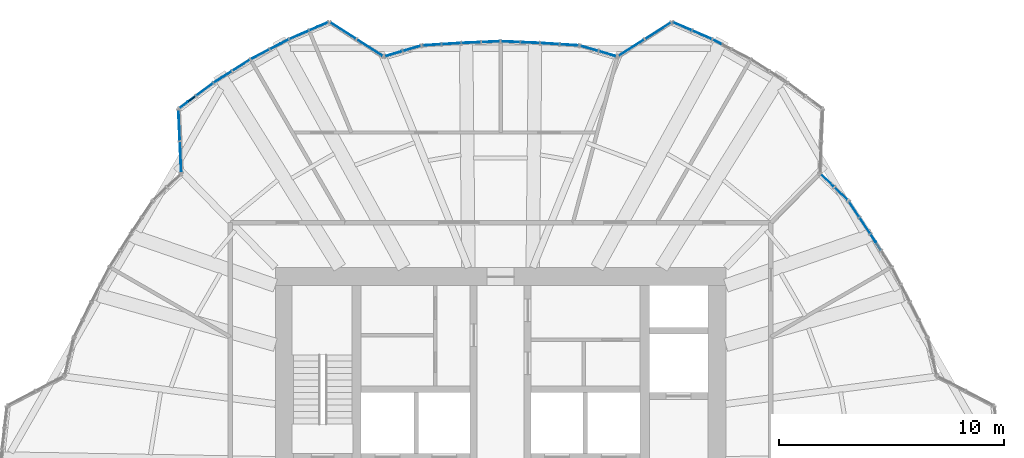
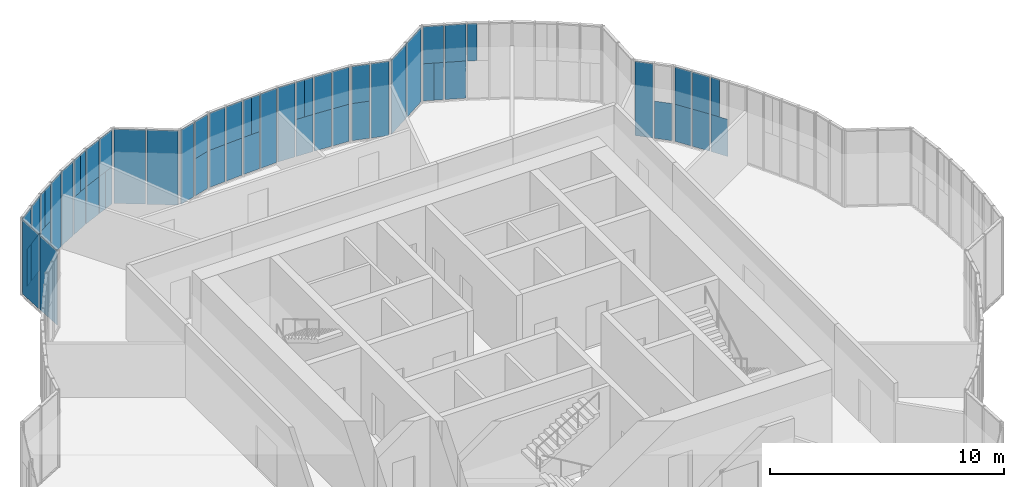
# One storey, part 19 of 24: 60 plates, 18 elements without a shape of their own.
"""IFC4 building model written with IfcOpenShell, lengths in metres."""

from ifc_helpers import new_model, si_unit, direction, frame, origin, origin_2d, place, context, subcontext, project, spatial, rectangle, extrude, material, layer, layer_set, type_object, element, aggregate, save


model = new_model("IFC4")

# Units and contexts
model_context = context("Model", 3, precision=1e-05, world=origin(), true_north=direction((0.0, 1.0)))
body_context = subcontext(model_context, "Body", "Model", "MODEL_VIEW")
ifc_project = project(units=[si_unit("LENGTHUNIT", "METRE"), si_unit("AREAUNIT", "SQUARE_METRE"), si_unit("VOLUMEUNIT", "CUBIC_METRE"), si_unit("PLANEANGLEUNIT", "RADIAN"), si_unit("MASSUNIT", "GRAM", prefix="KILO")], contexts=[model_context])

# Site, building, storey
site_placement = place(None, origin())
site = spatial("IfcSite", under=ifc_project, at=site_placement, CompositionType="ELEMENT")
building_placement = place(site_placement, origin())
building = spatial("IfcBuilding", under=site, at=building_placement, Name="Golbaran Civic Tower", CompositionType="ELEMENT")
storey_placement = place(building_placement, frame((0.0, 0.0, 25.0)))
storey = spatial("IfcBuildingStorey", under=building, at=storey_placement, Name="L05", CompositionType="ELEMENT", Elevation=25.0)

# Curtain wall, plates
ifc_material_1 = material(Name="Aluminium and glass", Category="aluminium")
curtain_wall_type = type_object("IfcCurtainWallType", Name="INNER SKIN CURTAIN WALL", PredefinedType="NOTDEFINED", material=ifc_material_1)
curtain_wall_1_placement = place(storey_placement, origin())
curtain_wall_1 = element("IfcCurtainWall", 1, at=curtain_wall_1_placement, inside=storey, type_object=curtain_wall_type, Name="Inner skin L05 facet 9 CW1", ObjectType="INNER SKIN", PredefinedType="USERDEFINED")
ifc_material_2 = material(Name="Clear insulating glass", Category="glass")
ifc_layer_1 = layer(ifc_material_2, 0.031982421875, Name="Clear insulating glass")
ifc_layer_set_1 = layer_set([ifc_layer_1], Name="Clear insulating glass")
plate_type_1 = type_object("IfcPlateType", Name="INNER SKIN CURTAIN WALL GLAZED PANEL", PredefinedType="CURTAIN_PANEL", material=ifc_layer_set_1)
plate_1_placement = place(storey_placement, frame((15.1181640625, 13.27685546875, 0.06494140625), z_axis=(0.0, 0.0, 1.0), x_axis=(-0.723900401463, 0.689904492493, 0.0)))
plate_1 = element("IfcPlate", 2, at=plate_1_placement, type_object=plate_type_1, Name="CW1 panel 1.1 part 1", PredefinedType="CURTAIN_PANEL", context=body_context, shape_type="SweptSolid", body=[
    extrude(rectangle(XDim=0.781494140625, YDim=0.031982421875, at=origin_2d()), origin(), (0.0, 0.0, 1.0), 1.93505859375),
])
plate_2_placement = place(storey_placement, frame((14.50537109375, 13.86083984375, 0.06494140625), z_axis=(0.0, 0.0, 1.0), x_axis=(-0.723900401463, 0.689904492493, 0.0)))
plate_2 = element("IfcPlate", 3, at=plate_2_placement, type_object=plate_type_1, Name="CW1 panel 2.1", PredefinedType="CURTAIN_PANEL", context=body_context, shape_type="SweptSolid", body=[
    extrude(rectangle(XDim=0.781494140625, YDim=0.031982421875, at=origin_2d()), origin(), (0.0, 0.0, 1.0), 3.8701171875),
])
aggregate(curtain_wall_1, [plate_1, plate_2])

# Curtain wall, plate
curtain_wall_2_placement = place(storey_placement, origin())
curtain_wall_2 = element("IfcCurtainWall", 4, at=curtain_wall_2_placement, inside=storey, type_object=curtain_wall_type, Name="Inner skin L05 facet 14 CW1", ObjectType="INNER SKIN", PredefinedType="USERDEFINED")
plate_3_placement = place(storey_placement, frame((7.88671875, 20.79052734375, 0.06494140625), z_axis=(0.0, 0.0, 1.0), x_axis=(-0.917653005474, 0.397382638705, 0.0)))
plate_3 = element("IfcPlate", 5, at=plate_3_placement, type_object=plate_type_1, Name="CW1 panel 2.1 part 2", PredefinedType="CURTAIN_PANEL", context=body_context, shape_type="SweptSolid", body=[
    extrude(rectangle(XDim=0.4716796875, YDim=0.031982421875, at=origin_2d()), origin(), (0.0, 0.0, 1.0), 1.93505859375),
])

# Curtain wall, plates
curtain_wall_3_placement = place(storey_placement, origin())
curtain_wall_3 = element("IfcCurtainWall", 6, at=curtain_wall_3_placement, inside=storey, type_object=curtain_wall_type, Name="Inner skin L05 facet 15 CW1", ObjectType="INNER SKIN", PredefinedType="USERDEFINED")
plate_4_placement = place(storey_placement, frame((6.991455078125, 20.5146484375, 0.06494140625), z_axis=(0.0, 0.0, 1.0), x_axis=(-0.842904487042, -0.53806321722, 0.0)))
plate_4 = element("IfcPlate", 7, at=plate_4_placement, type_object=plate_type_1, Name="CW1 panel 1.1", PredefinedType="CURTAIN_PANEL", context=body_context, shape_type="SweptSolid", body=[
    extrude(rectangle(XDim=1.33935546875, YDim=0.031982421875, at=origin_2d()), origin(), (0.0, 0.0, 1.0), 3.8701171875),
])
plate_5_placement = place(storey_placement, frame((5.807861328125, 19.75927734375, 0.06494140625), z_axis=(0.0, 0.0, 1.0), x_axis=(-0.842904487042, -0.53806321722, 0.0)))
plate_5 = element("IfcPlate", 8, at=plate_5_placement, type_object=plate_type_1, Name="CW1 panel 2.1", PredefinedType="CURTAIN_PANEL", context=body_context, shape_type="SweptSolid", body=[
    extrude(rectangle(XDim=1.33935546875, YDim=0.031982421875, at=origin_2d()), origin(), (0.0, 0.0, 1.0), 3.8701171875),
])
aggregate(curtain_wall_3, [plate_4, plate_5])

curtain_wall_4_placement = place(storey_placement, origin())
curtain_wall_4 = element("IfcCurtainWall", 9, at=curtain_wall_4_placement, inside=storey, type_object=curtain_wall_type, Name="Inner skin L05 facet 16 CW1", ObjectType="INNER SKIN", PredefinedType="USERDEFINED")
plate_6_placement = place(storey_placement, frame((4.751220703125, 19.492431640625, 0.06494140625), z_axis=(0.0, 0.0, 1.0), x_axis=(-0.959425017612, 0.28196389056, 0.0)))
plate_6 = element("IfcPlate", 10, at=plate_6_placement, type_object=plate_type_1, Name="CW1 panel 1.1", PredefinedType="CURTAIN_PANEL", context=body_context, shape_type="SweptSolid", body=[
    extrude(rectangle(XDim=0.781494140625, YDim=0.031982421875, at=origin_2d()), origin(), (0.0, 0.0, 1.0), 3.8701171875),
])
plate_7_placement = place(storey_placement, frame((3.93896484375, 19.731201171875, 0.06494140625), z_axis=(0.0, 0.0, 1.0), x_axis=(-0.959425017612, 0.28196389056, 0.0)))
plate_7 = element("IfcPlate", 11, at=plate_7_placement, type_object=plate_type_1, Name="CW1 panel 2.1 part 1", PredefinedType="CURTAIN_PANEL", context=body_context, shape_type="SweptSolid", body=[
    extrude(rectangle(XDim=0.781494140625, YDim=0.031982421875, at=origin_2d()), origin(), (0.0, 0.0, 1.0), 1.93505859375),
])

curtain_wall_5_placement = place(storey_placement, origin())
curtain_wall_5 = element("IfcCurtainWall", 12, at=curtain_wall_5_placement, inside=storey, type_object=curtain_wall_type, Name="Inner skin L05 facet 18 CW1", ObjectType="INNER SKIN", PredefinedType="USERDEFINED")
plate_8_placement = place(storey_placement, frame((1.110107421875, 19.99853515625, 2.0), z_axis=(0.0, 0.0, 1.0), x_axis=(-0.999048221591, 0.043619387156, 0.0)))
plate_8 = element("IfcPlate", 13, at=plate_8_placement, type_object=plate_type_1, Name="CW1 panel 1.1 part 3", PredefinedType="CURTAIN_PANEL", context=body_context, shape_type="SweptSolid", body=[
    extrude(rectangle(XDim=0.408447265625, YDim=0.031982421875, at=origin_2d()), origin(), (0.0, 0.0, 1.0), 1.93505859375),
])
plate_9_placement = place(storey_placement, frame((0.436767578125, 20.02783203125, 0.06494140625), z_axis=(0.0, 0.0, 1.0), x_axis=(-0.999048221591, 0.043619387156, 0.0)))
plate_9 = element("IfcPlate", 14, at=plate_9_placement, type_object=plate_type_1, Name="CW1 panel 2.1", PredefinedType="CURTAIN_PANEL", context=body_context, shape_type="SweptSolid", body=[
    extrude(rectangle(XDim=0.809326171875, YDim=0.031982421875, at=origin_2d()), origin(), (0.0, 0.0, 1.0), 3.8701171875),
])

curtain_wall_6_placement = place(storey_placement, origin())
curtain_wall_6 = element("IfcCurtainWall", 15, at=curtain_wall_6_placement, inside=storey, type_object=curtain_wall_type, Name="Inner skin L05 facet 19 CW1", ObjectType="INNER SKIN", PredefinedType="USERDEFINED")
plate_10_placement = place(storey_placement, frame((-0.436767578125, 20.02783203125, 0.06494140625), z_axis=(0.0, 0.0, 1.0), x_axis=(-0.999048221591, -0.043619387156, 0.0)))
plate_10 = element("IfcPlate", 16, at=plate_10_placement, type_object=plate_type_1, Name="CW1 panel 1.1", PredefinedType="CURTAIN_PANEL", context=body_context, shape_type="SweptSolid", body=[
    extrude(rectangle(XDim=0.809326171875, YDim=0.031982421875, at=origin_2d()), origin(), (0.0, 0.0, 1.0), 3.8701171875),
])
plate_11_placement = place(storey_placement, frame((-1.10986328125, 19.99853515625, 2.0), z_axis=(0.0, 0.0, 1.0), x_axis=(-0.999048221591, -0.043619387156, 0.0)))
plate_11 = element("IfcPlate", 17, at=plate_11_placement, type_object=plate_type_1, Name="CW1 panel 2.1 part 2", PredefinedType="CURTAIN_PANEL", context=body_context, shape_type="SweptSolid", body=[
    extrude(rectangle(XDim=0.407958984375, YDim=0.031982421875, at=origin_2d()), origin(), (0.0, 0.0, 1.0), 1.93505859375),
])

curtain_wall_7_placement = place(storey_placement, origin())
curtain_wall_7 = element("IfcCurtainWall", 18, at=curtain_wall_7_placement, inside=storey, type_object=curtain_wall_type, Name="Inner skin L05 facet 21 CW1", ObjectType="INNER SKIN", PredefinedType="USERDEFINED")
plate_12_placement = place(storey_placement, frame((-3.93896484375, 19.731201171875, 0.06494140625), z_axis=(0.0, 0.0, 1.0), x_axis=(-0.959425017612, -0.28196389056, 0.0)))
plate_12 = element("IfcPlate", 19, at=plate_12_placement, type_object=plate_type_1, Name="CW1 panel 1.1 part 1", PredefinedType="CURTAIN_PANEL", context=body_context, shape_type="SweptSolid", body=[
    extrude(rectangle(XDim=0.781494140625, YDim=0.031982421875, at=origin_2d()), origin(), (0.0, 0.0, 1.0), 1.93505859375),
])
plate_13_placement = place(storey_placement, frame((-4.751220703125, 19.492431640625, 0.06494140625), z_axis=(0.0, 0.0, 1.0), x_axis=(-0.959425017612, -0.28196389056, 0.0)))
plate_13 = element("IfcPlate", 20, at=plate_13_placement, type_object=plate_type_1, Name="CW1 panel 2.1", PredefinedType="CURTAIN_PANEL", context=body_context, shape_type="SweptSolid", body=[
    extrude(rectangle(XDim=0.781494140625, YDim=0.031982421875, at=origin_2d()), origin(), (0.0, 0.0, 1.0), 3.8701171875),
])

curtain_wall_8_placement = place(storey_placement, origin())
curtain_wall_8 = element("IfcCurtainWall", 21, at=curtain_wall_8_placement, inside=storey, type_object=curtain_wall_type, Name="Inner skin L05 facet 22 CW1", ObjectType="INNER SKIN", PredefinedType="USERDEFINED")
plate_14_placement = place(storey_placement, frame((-5.807861328125, 19.75927734375, 0.06494140625), z_axis=(0.0, 0.0, 1.0), x_axis=(-0.842904487042, 0.53806321722, 0.0)))
plate_14 = element("IfcPlate", 22, at=plate_14_placement, type_object=plate_type_1, Name="CW1 panel 1.1", PredefinedType="CURTAIN_PANEL", context=body_context, shape_type="SweptSolid", body=[
    extrude(rectangle(XDim=1.33935546875, YDim=0.031982421875, at=origin_2d()), origin(), (0.0, 0.0, 1.0), 3.8701171875),
])
plate_15_placement = place(storey_placement, frame((-6.991455078125, 20.5146484375, 0.06494140625), z_axis=(0.0, 0.0, 1.0), x_axis=(-0.842904487042, 0.53806321722, 0.0)))
plate_15 = element("IfcPlate", 23, at=plate_15_placement, type_object=plate_type_1, Name="CW1 panel 2.1", PredefinedType="CURTAIN_PANEL", context=body_context, shape_type="SweptSolid", body=[
    extrude(rectangle(XDim=1.33935546875, YDim=0.031982421875, at=origin_2d()), origin(), (0.0, 0.0, 1.0), 3.8701171875),
])
aggregate(curtain_wall_8, [plate_14, plate_15])

# Curtain wall, plate
curtain_wall_9_placement = place(storey_placement, origin())
curtain_wall_9 = element("IfcCurtainWall", 24, at=curtain_wall_9_placement, inside=storey, type_object=curtain_wall_type, Name="Inner skin L05 facet 23 CW1", ObjectType="INNER SKIN", PredefinedType="USERDEFINED")
plate_16_placement = place(storey_placement, frame((-7.886474609375, 20.79052734375, 0.06494140625), z_axis=(0.0, 0.0, 1.0), x_axis=(-0.917653005474, -0.397382638705, 0.0)))
plate_16 = element("IfcPlate", 25, at=plate_16_placement, type_object=plate_type_1, Name="CW1 panel 1.1 part 1", PredefinedType="CURTAIN_PANEL", context=body_context, shape_type="SweptSolid", body=[
    extrude(rectangle(XDim=0.470947265625, YDim=0.031982421875, at=origin_2d()), origin(), (0.0, 0.0, 1.0), 1.93505859375),
])

# Curtain wall, plates
curtain_wall_10_placement = place(storey_placement, origin())
curtain_wall_10 = element("IfcCurtainWall", 26, at=curtain_wall_10_placement, inside=storey, type_object=curtain_wall_type, Name="Inner skin L05 facet 24 CW1", ObjectType="INNER SKIN", PredefinedType="USERDEFINED")
plate_17_placement = place(storey_placement, frame((-9.998291015625, 19.822998046875, 2.0), z_axis=(0.0, 0.0, 1.0), x_axis=(-0.887010833033, -0.461748613514, 0.0)))
plate_17 = element("IfcPlate", 27, at=plate_17_placement, type_object=plate_type_1, Name="CW1 panel 1.1 part 3", PredefinedType="CURTAIN_PANEL", context=body_context, shape_type="SweptSolid", body=[
    extrude(rectangle(XDim=0.504150390625, YDim=0.031982421875, at=origin_2d()), origin(), (0.0, 0.0, 1.0), 1.93505859375),
])
plate_18_placement = place(storey_placement, frame((-10.6806640625, 19.4677734375, 0.06494140625), z_axis=(0.0, 0.0, 1.0), x_axis=(-0.887010833033, -0.461748613514, 0.0)))
plate_18 = element("IfcPlate", 28, at=plate_18_placement, type_object=plate_type_1, Name="CW1 panel 2.1", PredefinedType="CURTAIN_PANEL", context=body_context, shape_type="SweptSolid", body=[
    extrude(rectangle(XDim=0.904296875, YDim=0.031982421875, at=origin_2d()), origin(), (0.0, 0.0, 1.0), 3.8701171875),
])

curtain_wall_11_placement = place(storey_placement, origin())
curtain_wall_11 = element("IfcCurtainWall", 29, at=curtain_wall_11_placement, inside=storey, type_object=curtain_wall_type, Name="Inner skin L05 facet 25 CW1", ObjectType="INNER SKIN", PredefinedType="USERDEFINED")
plate_19_placement = place(storey_placement, frame((-11.519287109375, 18.983642578125, 0.06494140625), z_axis=(0.0, 0.0, 1.0), x_axis=(-0.843391445869, -0.537299608259, 0.0)))
plate_19 = element("IfcPlate", 30, at=plate_19_placement, type_object=plate_type_1, Name="CW1 panel 1.1", PredefinedType="CURTAIN_PANEL", context=body_context, shape_type="SweptSolid", body=[
    extrude(rectangle(XDim=0.904296875, YDim=0.031982421875, at=origin_2d()), origin(), (0.0, 0.0, 1.0), 3.8701171875),
])
plate_20_placement = place(storey_placement, frame((-12.16748046875, 18.570556640625, 2.0), z_axis=(0.0, 0.0, 1.0), x_axis=(-0.843391445869, -0.537299608259, 0.0)))
plate_20 = element("IfcPlate", 31, at=plate_20_placement, type_object=plate_type_1, Name="CW1 panel 2.1 part 2", PredefinedType="CURTAIN_PANEL", context=body_context, shape_type="SweptSolid", body=[
    extrude(rectangle(XDim=0.5029296875, YDim=0.031982421875, at=origin_2d()), origin(), (0.0, 0.0, 1.0), 1.93505859375),
])

# Curtain wall, plate
curtain_wall_12_placement = place(storey_placement, origin())
curtain_wall_12 = element("IfcCurtainWall", 32, at=curtain_wall_12_placement, inside=storey, type_object=curtain_wall_type, Name="Inner skin L05 facet 26 CW1", ObjectType="INNER SKIN", PredefinedType="USERDEFINED")
plate_21_placement = place(storey_placement, frame((-14.061767578125, 17.225341796875, 0.06494140625), z_axis=(0.0, 0.0, 1.0), x_axis=(-0.802969962931, -0.596019495177, 0.0)))
plate_21 = element("IfcPlate", 33, at=plate_21_placement, type_object=plate_type_1, Name="CW1 panel 2.1 part 2", PredefinedType="CURTAIN_PANEL", context=body_context, shape_type="SweptSolid", body=[
    extrude(rectangle(XDim=0.4716796875, YDim=0.031982421875, at=origin_2d()), origin(), (0.0, 0.0, 1.0), 1.93505859375),
])

# Curtain wall, plates
curtain_wall_13_placement = place(storey_placement, origin())
curtain_wall_13 = element("IfcCurtainWall", 34, at=curtain_wall_13_placement, inside=storey, type_object=curtain_wall_type, Name="Inner skin L05 facet 27 CW1", ObjectType="INNER SKIN", PredefinedType="USERDEFINED")
plate_22_placement = place(storey_placement, frame((-14.2705078125, 16.31201171875, 0.06494140625), z_axis=(0.0, 0.0, 1.0), x_axis=(0.044524171678, -0.999008307341, 0.0)))
plate_22 = element("IfcPlate", 35, at=plate_22_placement, type_object=plate_type_1, Name="CW1 panel 1.1", PredefinedType="CURTAIN_PANEL", context=body_context, shape_type="SweptSolid", body=[
    extrude(rectangle(XDim=1.33935546875, YDim=0.031982421875, at=origin_2d()), origin(), (0.0, 0.0, 1.0), 3.8701171875),
])
plate_23_placement = place(storey_placement, frame((-14.2080078125, 14.9091796875, 0.06494140625), z_axis=(0.0, 0.0, 1.0), x_axis=(0.044524171678, -0.999008307341, 0.0)))
plate_23 = element("IfcPlate", 36, at=plate_23_placement, type_object=plate_type_1, Name="CW1 panel 2.1", PredefinedType="CURTAIN_PANEL", context=body_context, shape_type="SweptSolid", body=[
    extrude(rectangle(XDim=1.33935546875, YDim=0.031982421875, at=origin_2d()), origin(), (0.0, 0.0, 1.0), 3.8701171875),
])
aggregate(curtain_wall_13, [plate_22, plate_23])

curtain_wall_14_placement = place(storey_placement, origin())
curtain_wall_14 = element("IfcCurtainWall", 37, at=curtain_wall_14_placement, inside=storey, type_object=curtain_wall_type, Name="Inner skin L05 facet 7 CW1", ObjectType="INNER SKIN", PredefinedType="USERDEFINED")
ifc_material_3 = material(Name="Aluminium faced opaque infill panel", Category="aluminium")
ifc_layer_2 = layer(ifc_material_3, 0.031982421875, Name="Aluminium faced opaque infill panel")
ifc_layer_set_2 = layer_set([ifc_layer_2], Name="Aluminium faced opaque infill panel")
plate_type_2 = type_object("IfcPlateType", Name="INNER SKIN CURTAIN WALL OPAQUE INFILL PANEL", PredefinedType="CURTAIN_PANEL", material=ifc_layer_set_2)
plate_24_placement = place(storey_placement, frame((16.656494140625, 11.129638671875, 0.06494140625), z_axis=(0.0, 0.0, 1.0), x_axis=(-0.537299608303, 0.843391445841, 0.0)))
plate_24 = element("IfcPlate", 38, at=plate_24_placement, type_object=plate_type_2, Name="CW1 infill panel 2.1 part 1", PredefinedType="CURTAIN_PANEL", context=body_context, shape_type="SweptSolid", body=[
    extrude(rectangle(XDim=0.809326171875, YDim=0.031982421875, at=origin_2d()), origin(), (0.0, 0.0, 1.0), 1.93505859375),
])
plate_25_placement = place(storey_placement, frame((16.546875, 11.3017578125, 2.0), z_axis=(0.0, 0.0, 1.0), x_axis=(-0.537299608303, 0.843391445841, 0.0)))
plate_25 = element("IfcPlate", 39, at=plate_25_placement, type_object=plate_type_2, Name="CW1 infill panel 2.1 part 3", PredefinedType="CURTAIN_PANEL", context=body_context, shape_type="SweptSolid", body=[
    extrude(rectangle(XDim=0.4013671875, YDim=0.031982421875, at=origin_2d()), origin(), (0.0, 0.0, 1.0), 1.93505859375),
])
aggregate(curtain_wall_14, [plate_24, plate_25])

curtain_wall_15_placement = place(storey_placement, origin())
curtain_wall_15 = element("IfcCurtainWall", 40, at=curtain_wall_15_placement, inside=storey, type_object=curtain_wall_type, Name="Inner skin L05 facet 8 CW1", ObjectType="INNER SKIN", PredefinedType="USERDEFINED")
plate_26_placement = place(storey_placement, frame((16.17822265625, 11.864501953125, 0.06494140625), z_axis=(0.0, 0.0, 1.0), x_axis=(-0.553719307998, 0.832703385336, 0.0)))
plate_26 = element("IfcPlate", 41, at=plate_26_placement, type_object=plate_type_2, Name="CW1 infill panel 1.1 part 1", PredefinedType="CURTAIN_PANEL", context=body_context, shape_type="SweptSolid", body=[
    extrude(rectangle(XDim=0.81396484375, YDim=0.031982421875, at=origin_2d()), origin(), (0.0, 0.0, 1.0), 1.93505859375),
])
plate_27_placement = place(storey_placement, frame((16.17822265625, 11.864501953125, 2.0), z_axis=(0.0, 0.0, 1.0), x_axis=(-0.553719307998, 0.832703385336, 0.0)))
plate_27 = element("IfcPlate", 42, at=plate_27_placement, type_object=plate_type_2, Name="CW1 infill panel 1.1 part 2", PredefinedType="CURTAIN_PANEL", context=body_context, shape_type="SweptSolid", body=[
    extrude(rectangle(XDim=0.81396484375, YDim=0.031982421875, at=origin_2d()), origin(), (0.0, 0.0, 1.0), 1.93505859375),
])
plate_28_placement = place(storey_placement, frame((15.700439453125, 12.5830078125, 0.06494140625), z_axis=(0.0, 0.0, 1.0), x_axis=(-0.553719307998, 0.832703385336, 0.0)))
plate_28 = element("IfcPlate", 43, at=plate_28_placement, type_object=plate_type_2, Name="CW1 infill panel 2.1 part 1", PredefinedType="CURTAIN_PANEL", context=body_context, shape_type="SweptSolid", body=[
    extrude(rectangle(XDim=0.781494140625, YDim=0.031982421875, at=origin_2d()), origin(), (0.0, 0.0, 1.0), 1.93505859375),
])
plate_29_placement = place(storey_placement, frame((15.700439453125, 12.5830078125, 2.0), z_axis=(0.0, 0.0, 1.0), x_axis=(-0.553719307998, 0.832703385336, 0.0)))
plate_29 = element("IfcPlate", 44, at=plate_29_placement, type_object=plate_type_2, Name="CW1 infill panel 2.1 part 2", PredefinedType="CURTAIN_PANEL", context=body_context, shape_type="SweptSolid", body=[
    extrude(rectangle(XDim=0.781494140625, YDim=0.031982421875, at=origin_2d()), origin(), (0.0, 0.0, 1.0), 1.93505859375),
])
aggregate(curtain_wall_15, [plate_26, plate_27, plate_28, plate_29])

# Curtain wall, plate
curtain_wall_16_placement = place(storey_placement, origin())
curtain_wall_16 = element("IfcCurtainWall", 45, at=curtain_wall_16_placement, inside=storey, type_object=curtain_wall_type, Name="Inner skin L05 facet 13 CW1", ObjectType="INNER SKIN", PredefinedType="USERDEFINED")
plate_30_placement = place(storey_placement, frame((9.597900390625, 20.031494140625, 2.0), z_axis=(0.0, 0.0, 1.0), x_axis=(-0.887010833033, 0.461748613514, 0.0)))
plate_30 = element("IfcPlate", 46, at=plate_30_placement, type_object=plate_type_2, Name="CW1 infill panel 2.1 part 3", PredefinedType="CURTAIN_PANEL", context=body_context, shape_type="SweptSolid", body=[
    extrude(rectangle(XDim=0.4013671875, YDim=0.031982421875, at=origin_2d()), origin(), (0.0, 0.0, 1.0), 1.93505859375),
])
aggregate(curtain_wall_16, [plate_30])

# Plate
plate_31_placement = place(storey_placement, frame((8.94580078125, 20.331787109375, 0.06494140625), z_axis=(0.0, 0.0, 1.0), x_axis=(-0.917653005474, 0.397382638705, 0.0)))
plate_31 = element("IfcPlate", 47, at=plate_31_placement, type_object=plate_type_2, Name="CW1 infill panel 1.1 part 1", PredefinedType="CURTAIN_PANEL", context=body_context, shape_type="SweptSolid", body=[
    extrude(rectangle(XDim=0.905029296875, YDim=0.031982421875, at=origin_2d()), origin(), (0.0, 0.0, 1.0), 1.93505859375),
])

plate_32_placement = place(storey_placement, frame((8.94580078125, 20.331787109375, 2.0), z_axis=(0.0, 0.0, 1.0), x_axis=(-0.917653005474, 0.397382638705, 0.0)))
plate_32 = element("IfcPlate", 48, at=plate_32_placement, type_object=plate_type_2, Name="CW1 infill panel 1.1 part 2", PredefinedType="CURTAIN_PANEL", context=body_context, shape_type="SweptSolid", body=[
    extrude(rectangle(XDim=0.905029296875, YDim=0.031982421875, at=origin_2d()), origin(), (0.0, 0.0, 1.0), 1.93505859375),
])

plate_33_placement = place(storey_placement, frame((8.287109375, 20.6171875, 0.06494140625), z_axis=(0.0, 0.0, 1.0), x_axis=(-0.917653005474, 0.397382638705, 0.0)))
plate_33 = element("IfcPlate", 49, at=plate_33_placement, type_object=plate_type_2, Name="CW1 infill panel 2.1 part 1", PredefinedType="CURTAIN_PANEL", context=body_context, shape_type="SweptSolid", body=[
    extrude(rectangle(XDim=0.40087890625, YDim=0.031982421875, at=origin_2d()), origin(), (0.0, 0.0, 1.0), 1.93505859375),
])

plate_34_placement = place(storey_placement, frame((8.070556640625, 20.7109375, 2.0), z_axis=(0.0, 0.0, 1.0), x_axis=(-0.917653005474, 0.397382638705, 0.0)))
plate_34 = element("IfcPlate", 50, at=plate_34_placement, type_object=plate_type_2, Name="CW1 infill panel 2.1 part 3", PredefinedType="CURTAIN_PANEL", context=body_context, shape_type="SweptSolid", body=[
    extrude(rectangle(XDim=0.87255859375, YDim=0.031982421875, at=origin_2d()), origin(), (0.0, 0.0, 1.0), 1.93505859375),
])

aggregate(curtain_wall_2, [plate_31, plate_32, plate_33, plate_3, plate_34])

plate_35_placement = place(storey_placement, frame((3.93896484375, 19.731201171875, 2.0), z_axis=(0.0, 0.0, 1.0), x_axis=(-0.959425017612, 0.28196389056, 0.0)))
plate_35 = element("IfcPlate", 51, at=plate_35_placement, type_object=plate_type_2, Name="CW1 infill panel 2.1 part 2", PredefinedType="CURTAIN_PANEL", context=body_context, shape_type="SweptSolid", body=[
    extrude(rectangle(XDim=0.781494140625, YDim=0.031982421875, at=origin_2d()), origin(), (0.0, 0.0, 1.0), 1.93505859375),
])

aggregate(curtain_wall_4, [plate_6, plate_7, plate_35])

# Curtain wall, plates
curtain_wall_17_placement = place(storey_placement, origin())
curtain_wall_17 = element("IfcCurtainWall", 52, at=curtain_wall_17_placement, inside=storey, type_object=curtain_wall_type, Name="Inner skin L05 facet 17 CW1", ObjectType="INNER SKIN", PredefinedType="USERDEFINED")
plate_36_placement = place(storey_placement, frame((3.046875, 19.888427734375, 0.06494140625), z_axis=(0.0, 0.0, 1.0), x_axis=(-0.998001939506, 0.063183294799, 0.0)))
plate_36 = element("IfcPlate", 53, at=plate_36_placement, type_object=plate_type_2, Name="CW1 infill panel 1.1 part 1", PredefinedType="CURTAIN_PANEL", context=body_context, shape_type="SweptSolid", body=[
    extrude(rectangle(XDim=0.781494140625, YDim=0.031982421875, at=origin_2d()), origin(), (0.0, 0.0, 1.0), 1.93505859375),
])
plate_37_placement = place(storey_placement, frame((3.046875, 19.888427734375, 2.0), z_axis=(0.0, 0.0, 1.0), x_axis=(-0.998001939506, 0.063183294799, 0.0)))
plate_37 = element("IfcPlate", 54, at=plate_37_placement, type_object=plate_type_2, Name="CW1 infill panel 1.1 part 2", PredefinedType="CURTAIN_PANEL", context=body_context, shape_type="SweptSolid", body=[
    extrude(rectangle(XDim=0.781494140625, YDim=0.031982421875, at=origin_2d()), origin(), (0.0, 0.0, 1.0), 1.93505859375),
])
plate_38_placement = place(storey_placement, frame((2.185791015625, 19.94287109375, 0.06494140625), z_axis=(0.0, 0.0, 1.0), x_axis=(-0.998001939506, 0.063183294799, 0.0)))
plate_38 = element("IfcPlate", 55, at=plate_38_placement, type_object=plate_type_2, Name="CW1 infill panel 2.1 part 1", PredefinedType="CURTAIN_PANEL", context=body_context, shape_type="SweptSolid", body=[
    extrude(rectangle(XDim=0.81396484375, YDim=0.031982421875, at=origin_2d()), origin(), (0.0, 0.0, 1.0), 1.93505859375),
])
plate_39_placement = place(storey_placement, frame((2.185791015625, 19.94287109375, 2.0), z_axis=(0.0, 0.0, 1.0), x_axis=(-0.998001939506, 0.063183294799, 0.0)))
plate_39 = element("IfcPlate", 56, at=plate_39_placement, type_object=plate_type_2, Name="CW1 infill panel 2.1 part 2", PredefinedType="CURTAIN_PANEL", context=body_context, shape_type="SweptSolid", body=[
    extrude(rectangle(XDim=0.81396484375, YDim=0.031982421875, at=origin_2d()), origin(), (0.0, 0.0, 1.0), 1.93505859375),
])
aggregate(curtain_wall_17, [plate_36, plate_37, plate_38, plate_39])

# Plate
plate_40_placement = place(storey_placement, frame((1.310302734375, 19.98974609375, 0.06494140625), z_axis=(0.0, 0.0, 1.0), x_axis=(-0.999048221591, 0.043619387156, 0.0)))
plate_40 = element("IfcPlate", 57, at=plate_40_placement, type_object=plate_type_2, Name="CW1 infill panel 1.1 part 1", PredefinedType="CURTAIN_PANEL", context=body_context, shape_type="SweptSolid", body=[
    extrude(rectangle(XDim=0.809326171875, YDim=0.031982421875, at=origin_2d()), origin(), (0.0, 0.0, 1.0), 1.93505859375),
])

plate_41_placement = place(storey_placement, frame((1.514404296875, 19.98095703125, 2.0), z_axis=(0.0, 0.0, 1.0), x_axis=(-0.999048221591, 0.043619387156, 0.0)))
plate_41 = element("IfcPlate", 58, at=plate_41_placement, type_object=plate_type_2, Name="CW1 infill panel 1.1 part 2", PredefinedType="CURTAIN_PANEL", context=body_context, shape_type="SweptSolid", body=[
    extrude(rectangle(XDim=0.40087890625, YDim=0.031982421875, at=origin_2d()), origin(), (0.0, 0.0, 1.0), 1.93505859375),
])

aggregate(curtain_wall_5, [plate_40, plate_41, plate_8, plate_9])

plate_42_placement = place(storey_placement, frame((-1.310302734375, 19.98974609375, 0.06494140625), z_axis=(0.0, 0.0, 1.0), x_axis=(-0.999048221591, -0.043619387156, 0.0)))
plate_42 = element("IfcPlate", 59, at=plate_42_placement, type_object=plate_type_2, Name="CW1 infill panel 2.1 part 1", PredefinedType="CURTAIN_PANEL", context=body_context, shape_type="SweptSolid", body=[
    extrude(rectangle(XDim=0.809326171875, YDim=0.031982421875, at=origin_2d()), origin(), (0.0, 0.0, 1.0), 1.93505859375),
])

plate_43_placement = place(storey_placement, frame((-1.51416015625, 19.98095703125, 2.0), z_axis=(0.0, 0.0, 1.0), x_axis=(-0.999048221591, -0.043619387156, 0.0)))
plate_43 = element("IfcPlate", 60, at=plate_43_placement, type_object=plate_type_2, Name="CW1 infill panel 2.1 part 3", PredefinedType="CURTAIN_PANEL", context=body_context, shape_type="SweptSolid", body=[
    extrude(rectangle(XDim=0.4013671875, YDim=0.031982421875, at=origin_2d()), origin(), (0.0, 0.0, 1.0), 1.93505859375),
])

aggregate(curtain_wall_6, [plate_10, plate_42, plate_11, plate_43])

# Curtain wall, plates
curtain_wall_18_placement = place(storey_placement, origin())
curtain_wall_18 = element("IfcCurtainWall", 61, at=curtain_wall_18_placement, inside=storey, type_object=curtain_wall_type, Name="Inner skin L05 facet 20 CW1", ObjectType="INNER SKIN", PredefinedType="USERDEFINED")
plate_44_placement = place(storey_placement, frame((-2.185791015625, 19.94287109375, 0.06494140625), z_axis=(0.0, 0.0, 1.0), x_axis=(-0.998001939506, -0.063183294799, 0.0)))
plate_44 = element("IfcPlate", 62, at=plate_44_placement, type_object=plate_type_2, Name="CW1 infill panel 1.1 part 1", PredefinedType="CURTAIN_PANEL", context=body_context, shape_type="SweptSolid", body=[
    extrude(rectangle(XDim=0.81396484375, YDim=0.031982421875, at=origin_2d()), origin(), (0.0, 0.0, 1.0), 1.93505859375),
])
plate_45_placement = place(storey_placement, frame((-2.185791015625, 19.94287109375, 2.0), z_axis=(0.0, 0.0, 1.0), x_axis=(-0.998001939506, -0.063183294799, 0.0)))
plate_45 = element("IfcPlate", 63, at=plate_45_placement, type_object=plate_type_2, Name="CW1 infill panel 1.1 part 2", PredefinedType="CURTAIN_PANEL", context=body_context, shape_type="SweptSolid", body=[
    extrude(rectangle(XDim=0.81396484375, YDim=0.031982421875, at=origin_2d()), origin(), (0.0, 0.0, 1.0), 1.93505859375),
])
plate_46_placement = place(storey_placement, frame((-3.046875, 19.888427734375, 0.06494140625), z_axis=(0.0, 0.0, 1.0), x_axis=(-0.998001939506, -0.063183294799, 0.0)))
plate_46 = element("IfcPlate", 64, at=plate_46_placement, type_object=plate_type_2, Name="CW1 infill panel 2.1 part 1", PredefinedType="CURTAIN_PANEL", context=body_context, shape_type="SweptSolid", body=[
    extrude(rectangle(XDim=0.781494140625, YDim=0.031982421875, at=origin_2d()), origin(), (0.0, 0.0, 1.0), 1.93505859375),
])
plate_47_placement = place(storey_placement, frame((-3.046875, 19.888427734375, 2.0), z_axis=(0.0, 0.0, 1.0), x_axis=(-0.998001939506, -0.063183294799, 0.0)))
plate_47 = element("IfcPlate", 65, at=plate_47_placement, type_object=plate_type_2, Name="CW1 infill panel 2.1 part 2", PredefinedType="CURTAIN_PANEL", context=body_context, shape_type="SweptSolid", body=[
    extrude(rectangle(XDim=0.781494140625, YDim=0.031982421875, at=origin_2d()), origin(), (0.0, 0.0, 1.0), 1.93505859375),
])
aggregate(curtain_wall_18, [plate_44, plate_45, plate_46, plate_47])

# Plate
plate_48_placement = place(storey_placement, frame((-3.93896484375, 19.731201171875, 2.0), z_axis=(0.0, 0.0, 1.0), x_axis=(-0.959425017612, -0.28196389056, 0.0)))
plate_48 = element("IfcPlate", 66, at=plate_48_placement, type_object=plate_type_2, Name="CW1 infill panel 1.1 part 2", PredefinedType="CURTAIN_PANEL", context=body_context, shape_type="SweptSolid", body=[
    extrude(rectangle(XDim=0.781494140625, YDim=0.031982421875, at=origin_2d()), origin(), (0.0, 0.0, 1.0), 1.93505859375),
])

aggregate(curtain_wall_7, [plate_12, plate_48, plate_13])

plate_49_placement = place(storey_placement, frame((-8.286865234375, 20.6171875, 0.06494140625), z_axis=(0.0, 0.0, 1.0), x_axis=(-0.917653005474, -0.397382638705, 0.0)))
plate_49 = element("IfcPlate", 67, at=plate_49_placement, type_object=plate_type_2, Name="CW1 infill panel 1.1 part 2", PredefinedType="CURTAIN_PANEL", context=body_context, shape_type="SweptSolid", body=[
    extrude(rectangle(XDim=0.401611328125, YDim=0.031982421875, at=origin_2d()), origin(), (0.0, 0.0, 1.0), 1.93505859375),
])

plate_50_placement = place(storey_placement, frame((-8.070556640625, 20.7109375, 2.0), z_axis=(0.0, 0.0, 1.0), x_axis=(-0.917653005474, -0.397382638705, 0.0)))
plate_50 = element("IfcPlate", 68, at=plate_50_placement, type_object=plate_type_2, Name="CW1 infill panel 1.1 part 3", PredefinedType="CURTAIN_PANEL", context=body_context, shape_type="SweptSolid", body=[
    extrude(rectangle(XDim=0.87255859375, YDim=0.031982421875, at=origin_2d()), origin(), (0.0, 0.0, 1.0), 1.93505859375),
])

plate_51_placement = place(storey_placement, frame((-8.94580078125, 20.331787109375, 0.06494140625), z_axis=(0.0, 0.0, 1.0), x_axis=(-0.917653005474, -0.397382638705, 0.0)))
plate_51 = element("IfcPlate", 69, at=plate_51_placement, type_object=plate_type_2, Name="CW1 infill panel 2.1 part 1", PredefinedType="CURTAIN_PANEL", context=body_context, shape_type="SweptSolid", body=[
    extrude(rectangle(XDim=0.905029296875, YDim=0.031982421875, at=origin_2d()), origin(), (0.0, 0.0, 1.0), 1.93505859375),
])

plate_52_placement = place(storey_placement, frame((-8.94580078125, 20.331787109375, 2.0), z_axis=(0.0, 0.0, 1.0), x_axis=(-0.917653005474, -0.397382638705, 0.0)))
plate_52 = element("IfcPlate", 70, at=plate_52_placement, type_object=plate_type_2, Name="CW1 infill panel 2.1 part 2", PredefinedType="CURTAIN_PANEL", context=body_context, shape_type="SweptSolid", body=[
    extrude(rectangle(XDim=0.905029296875, YDim=0.031982421875, at=origin_2d()), origin(), (0.0, 0.0, 1.0), 1.93505859375),
])

aggregate(curtain_wall_9, [plate_16, plate_49, plate_50, plate_51, plate_52])

plate_53_placement = place(storey_placement, frame((-9.82080078125, 19.915283203125, 0.06494140625), z_axis=(0.0, 0.0, 1.0), x_axis=(-0.887010833033, -0.461748613514, 0.0)))
plate_53 = element("IfcPlate", 71, at=plate_53_placement, type_object=plate_type_2, Name="CW1 infill panel 1.1 part 1", PredefinedType="CURTAIN_PANEL", context=body_context, shape_type="SweptSolid", body=[
    extrude(rectangle(XDim=0.904296875, YDim=0.031982421875, at=origin_2d()), origin(), (0.0, 0.0, 1.0), 1.93505859375),
])

plate_54_placement = place(storey_placement, frame((-9.59716796875, 20.03173828125, 2.0), z_axis=(0.0, 0.0, 1.0), x_axis=(-0.887010833033, -0.461748613514, 0.0)))
plate_54 = element("IfcPlate", 72, at=plate_54_placement, type_object=plate_type_2, Name="CW1 infill panel 1.1 part 2", PredefinedType="CURTAIN_PANEL", context=body_context, shape_type="SweptSolid", body=[
    extrude(rectangle(XDim=0.39990234375, YDim=0.031982421875, at=origin_2d()), origin(), (0.0, 0.0, 1.0), 1.93505859375),
])

aggregate(curtain_wall_10, [plate_53, plate_54, plate_17, plate_18])

plate_55_placement = place(storey_placement, frame((-12.336669921875, 18.462890625, 0.06494140625), z_axis=(0.0, 0.0, 1.0), x_axis=(-0.843391445869, -0.537299608259, 0.0)))
plate_55 = element("IfcPlate", 73, at=plate_55_placement, type_object=plate_type_2, Name="CW1 infill panel 2.1 part 1", PredefinedType="CURTAIN_PANEL", context=body_context, shape_type="SweptSolid", body=[
    extrude(rectangle(XDim=0.904296875, YDim=0.031982421875, at=origin_2d()), origin(), (0.0, 0.0, 1.0), 1.93505859375),
])

plate_56_placement = place(storey_placement, frame((-12.548828125, 18.32763671875, 2.0), z_axis=(0.0, 0.0, 1.0), x_axis=(-0.843391445869, -0.537299608259, 0.0)))
plate_56 = element("IfcPlate", 74, at=plate_56_placement, type_object=plate_type_2, Name="CW1 infill panel 2.1 part 3", PredefinedType="CURTAIN_PANEL", context=body_context, shape_type="SweptSolid", body=[
    extrude(rectangle(XDim=0.4013671875, YDim=0.031982421875, at=origin_2d()), origin(), (0.0, 0.0, 1.0), 1.93505859375),
])

aggregate(curtain_wall_11, [plate_19, plate_55, plate_20, plate_56])

plate_57_placement = place(storey_placement, frame((-13.135009765625, 17.913330078125, 0.06494140625), z_axis=(0.0, 0.0, 1.0), x_axis=(-0.802969962931, -0.596019495177, 0.0)))
plate_57 = element("IfcPlate", 75, at=plate_57_placement, type_object=plate_type_2, Name="CW1 infill panel 1.1 part 1", PredefinedType="CURTAIN_PANEL", context=body_context, shape_type="SweptSolid", body=[
    extrude(rectangle(XDim=0.905029296875, YDim=0.031982421875, at=origin_2d()), origin(), (0.0, 0.0, 1.0), 1.93505859375),
])

plate_58_placement = place(storey_placement, frame((-13.135009765625, 17.913330078125, 2.0), z_axis=(0.0, 0.0, 1.0), x_axis=(-0.802969962931, -0.596019495177, 0.0)))
plate_58 = element("IfcPlate", 76, at=plate_58_placement, type_object=plate_type_2, Name="CW1 infill panel 1.1 part 2", PredefinedType="CURTAIN_PANEL", context=body_context, shape_type="SweptSolid", body=[
    extrude(rectangle(XDim=0.905029296875, YDim=0.031982421875, at=origin_2d()), origin(), (0.0, 0.0, 1.0), 1.93505859375),
])

plate_59_placement = place(storey_placement, frame((-13.71142578125, 17.4853515625, 0.06494140625), z_axis=(0.0, 0.0, 1.0), x_axis=(-0.802969962931, -0.596019495177, 0.0)))
plate_59 = element("IfcPlate", 77, at=plate_59_placement, type_object=plate_type_2, Name="CW1 infill panel 2.1 part 1", PredefinedType="CURTAIN_PANEL", context=body_context, shape_type="SweptSolid", body=[
    extrude(rectangle(XDim=0.40087890625, YDim=0.031982421875, at=origin_2d()), origin(), (0.0, 0.0, 1.0), 1.93505859375),
])

plate_60_placement = place(storey_placement, frame((-13.90087890625, 17.3447265625, 2.0), z_axis=(0.0, 0.0, 1.0), x_axis=(-0.802969962931, -0.596019495177, 0.0)))
plate_60 = element("IfcPlate", 78, at=plate_60_placement, type_object=plate_type_2, Name="CW1 infill panel 2.1 part 3", PredefinedType="CURTAIN_PANEL", context=body_context, shape_type="SweptSolid", body=[
    extrude(rectangle(XDim=0.87255859375, YDim=0.031982421875, at=origin_2d()), origin(), (0.0, 0.0, 1.0), 1.93505859375),
])

aggregate(curtain_wall_12, [plate_57, plate_58, plate_59, plate_21, plate_60])

save(model, "model.ifc")
